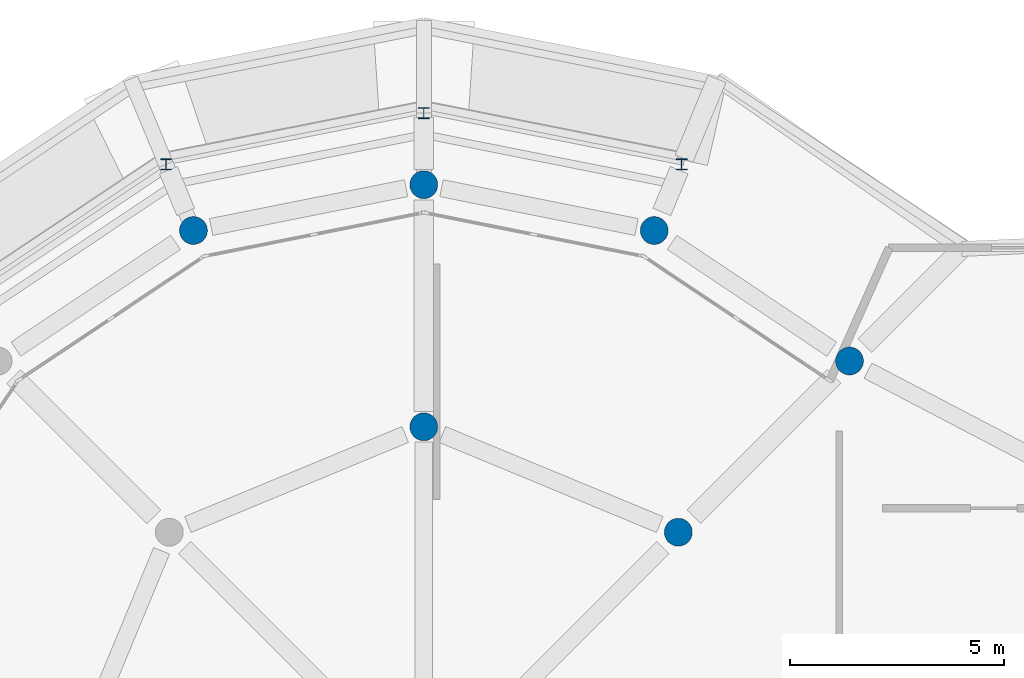
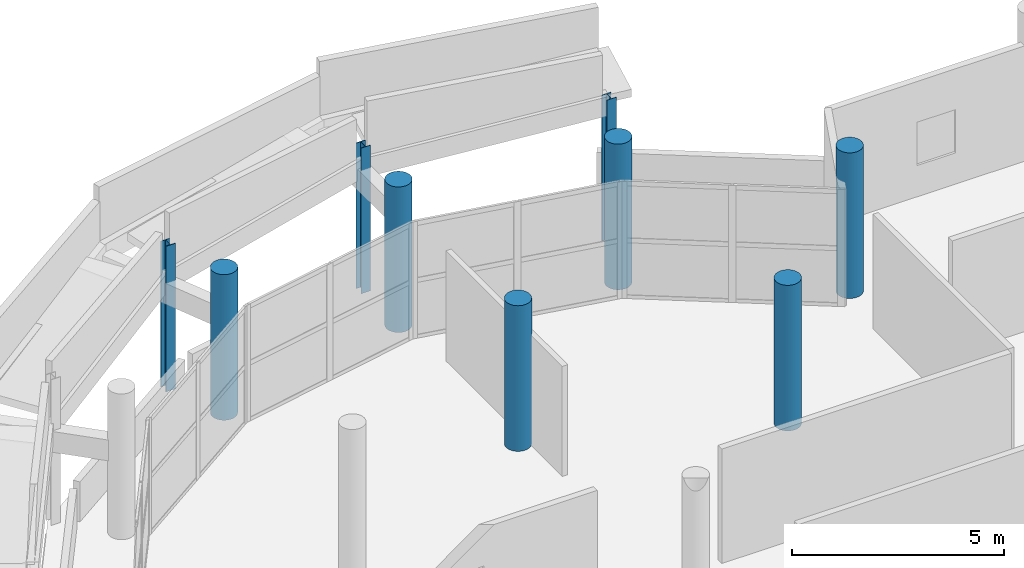
# One storey, part 5 of 137: 9 columns.
"""IFC4 building model written with IfcOpenShell, lengths in metres."""

from ifc_helpers import new_model, si_unit, direction, frame, origin, origin_2d, place, context, subcontext, project, spatial, circle, i_section, extrude, material, material_profile, profile_set, type_object, element, save


model = new_model("IFC4")

# Units and contexts
model_context = context("Model", 3, precision=1e-05, world=origin(), true_north=direction((0.0, 1.0)))
body_context = subcontext(model_context, "Body", "Model", "MODEL_VIEW")
ifc_project = project(units=[si_unit("LENGTHUNIT", "METRE"), si_unit("AREAUNIT", "SQUARE_METRE"), si_unit("VOLUMEUNIT", "CUBIC_METRE"), si_unit("PLANEANGLEUNIT", "RADIAN"), si_unit("MASSUNIT", "GRAM", prefix="KILO")], contexts=[model_context])

# Site, building, storey
site_placement = place(None, origin())
site = spatial("IfcSite", under=ifc_project, at=site_placement, CompositionType="ELEMENT")
building_placement = place(site_placement, origin())
building = spatial("IfcBuilding", under=site, at=building_placement, Name="Jelvoka-Kovrelna Polytechnic", CompositionType="ELEMENT")
storey_placement = place(building_placement, frame((0.0, 0.0, 9.60009765625)))
storey = spatial("IfcBuildingStorey", under=building, at=storey_placement, Name="L03", CompositionType="ELEMENT", Elevation=9.60009765625)

# Columns
ifc_material_1 = material(Name="Concrete C40/50", Category="concrete")
ifc_material_profile_1 = material_profile(ifc_material_1, circle(Radius=0.324951171875, at=origin_2d()), Name="RC D650")
ifc_profile_set_1 = profile_set([ifc_material_profile_1], Name="Concrete C40/50")
column_type_1 = type_object("IfcColumnType", Name="Col_RC_D650", PredefinedType="COLUMN", material=ifc_profile_set_1)
for number, where, z_axis, x_axis, name in (
    (1, (31.439697265625, 48.439697265625, 0.0), (0.0, 0.0, 1.0), (1.0, 0.0, 0.0), "L03 column 0927"),
    (2, (25.5, 50.89990234375, 0.0), (0.0, 0.0, 1.0), (1.0, 0.0, 0.0), "L03 column 0939"),
    (3, (35.434814453125, 52.434814453125, 0.0), (0.0, 0.0, 1.0), (1.0, 0.0, 0.0), "L03 column 0951"),
    (4, (20.123291015625, 55.48046875, 0.0), (0.0, 0.0, 1.0), (1.0, 0.0, 0.0), "L03 column 0963"),
    (5, (30.876708984375, 55.48046875, 0.0), (0.0, 0.0, 1.0), (1.0, 0.0, 0.0), "L03 column 0969"),
    (6, (25.5, 56.550048828125, 0.0), (0.0, 0.0, 1.0), (1.0, 0.0, 0.0), "L03 column 1136"),
):
    element("IfcColumn", number, at=place(storey_placement, frame(where, z_axis=z_axis, x_axis=x_axis)), inside=storey, type_object=column_type_1, Name=name, PredefinedType="COLUMN", context=body_context, shape_type="SweptSolid", body=[
        extrude(circle(Radius=0.324951171875, at=origin_2d()), origin(), (0.0, 0.0, 1.0), 4.199951171875),
    ])
ifc_material_2 = material(Name="Structural steel S355JR", Category="steel")
ifc_material_profile_2 = material_profile(ifc_material_2, i_section(OverallWidth=0.254638671875, OverallDepth=0.254150390625, WebThickness=0.008544921875, FlangeThickness=0.01416015625, FilletRadius=0.0126953125, at=origin_2d()), Name="254x254x73 UC")
ifc_profile_set_2 = profile_set([ifc_material_profile_2], Name="Structural steel S355JR")
column_type_2 = type_object("IfcColumnType", Name="Col_Steel_UC254", PredefinedType="COLUMN", material=ifc_profile_set_2)
for number, where, z_axis, x_axis, name in (
    (7, (31.515869140625, 57.0234375, 0.0), (0.0, 0.0, 1.0), (1.0, 0.0, 0.0), "L03 recessed rotunda gallery post 1725"),
    (8, (25.5, 58.219970703125, 0.0), (0.0, 0.0, 1.0), (1.0, 0.0, 0.0), "L03 recessed rotunda gallery post 1731"),
    (9, (19.484130859375, 57.0234375, 0.0), (0.0, 0.0, 1.0), (1.0, 0.0, 0.0), "L03 recessed rotunda gallery post 1737"),
):
    element("IfcColumn", number, at=place(storey_placement, frame(where, z_axis=z_axis, x_axis=x_axis)), inside=storey, type_object=column_type_2, Name=name, PredefinedType="COLUMN", context=body_context, shape_type="SweptSolid", body=[
        extrude(i_section(OverallWidth=0.254638671875, OverallDepth=0.254150390625, WebThickness=0.008544921875, FlangeThickness=0.01416015625, FilletRadius=0.0126953125, at=origin_2d()), origin(), (0.0, 0.0, 1.0), 4.199951171875),
    ])

save(model, "model.ifc")
